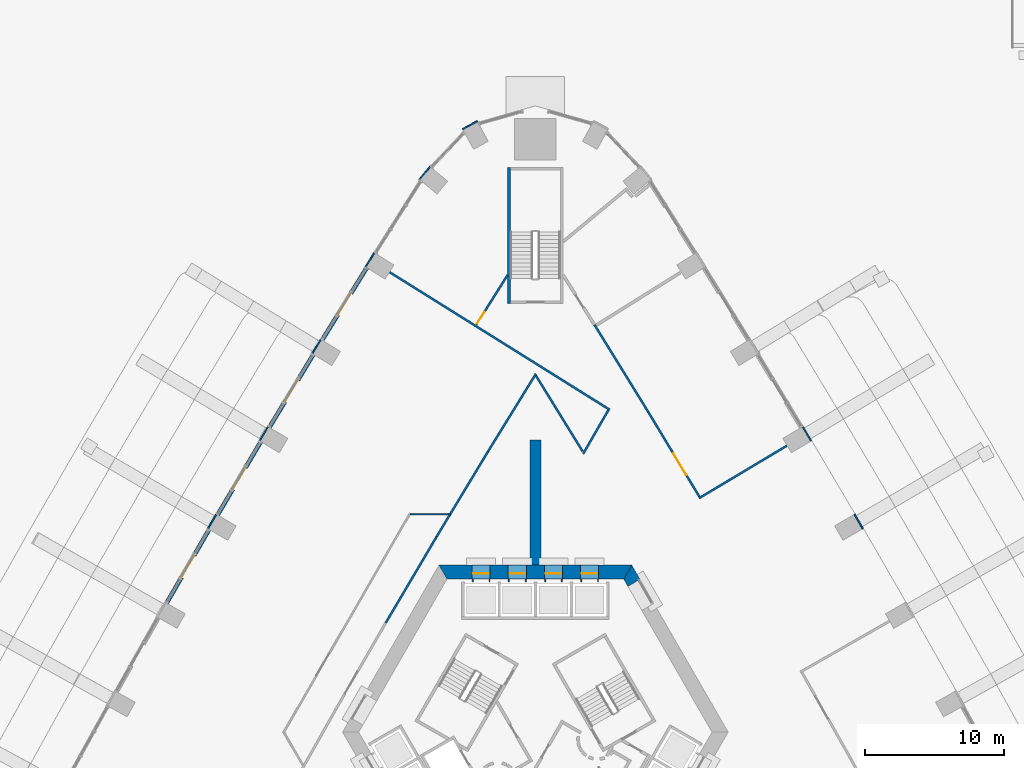
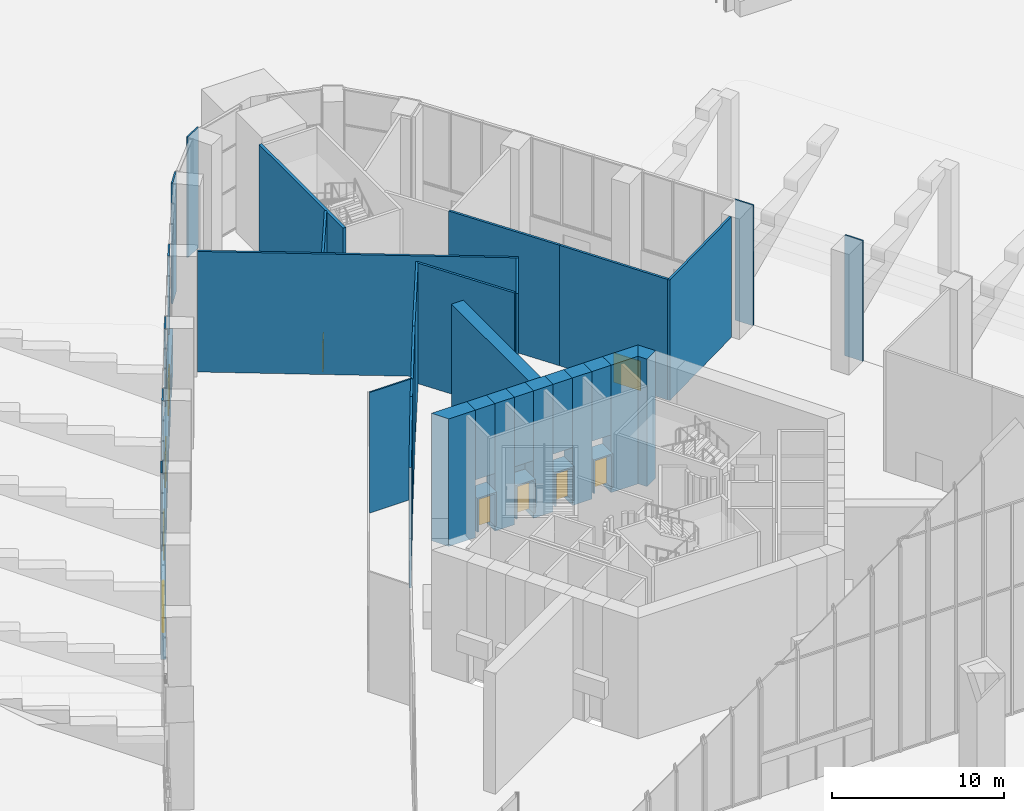
# One storey, part 19 of 36: 40 walls, 10 doors, 10 openings.
"""IFC4 building model written with IfcOpenShell, lengths in metres."""

from ifc_helpers import new_model, si_unit, direction, frame, frame_2d, origin, place, context, subcontext, project, spatial, polyline, rectangle, outline, extrude, material, layer, layer_set, type_object, element, fill, save


model = new_model("IFC4")

# Units and contexts
model_context = context("Model", 3, precision=1e-05, world=origin(), true_north=direction((0.0, 1.0)))
body_context = subcontext(model_context, "Body", "Model", "MODEL_VIEW")
ifc_project = project(units=[si_unit("LENGTHUNIT", "METRE"), si_unit("AREAUNIT", "SQUARE_METRE"), si_unit("VOLUMEUNIT", "CUBIC_METRE"), si_unit("PLANEANGLEUNIT", "RADIAN"), si_unit("MASSUNIT", "GRAM", prefix="KILO")], contexts=[model_context])

# Site, building, storey
site_placement = place(None, origin())
site = spatial("IfcSite", under=ifc_project, at=site_placement, CompositionType="ELEMENT")
building_placement = place(site_placement, origin())
building = spatial("IfcBuilding", under=site, at=building_placement, Name="Entoto Arch Interchange Tower", CompositionType="ELEMENT")
storey_placement = place(building_placement, origin())
storey = spatial("IfcBuildingStorey", under=building, at=storey_placement, Name="L00", CompositionType="ELEMENT", Elevation=0.0)

# Walls
ifc_material_1 = material(Name="Concrete C60/75", Category="concrete")
ifc_layer_1 = layer(ifc_material_1, 0.800048828125)
ifc_layer_set_1 = layer_set([ifc_layer_1], Name="Concrete C60/75")
wall_type_1 = type_object("IfcWallType", Name="Buttress wall 800 C60/75", PredefinedType="SHEAR", material=ifc_layer_set_1)
wall_1_placement = place(storey_placement, frame((0.0, 14.5, -0.5), z_axis=(0.0, 0.0, 1.0), x_axis=(0.0, 1.0, 0.0)))
element("IfcWall", 1, at=wall_1_placement, inside=storey, type_object=wall_type_1, Name="Buttress wall N L00", PredefinedType="SHEAR", context=body_context, shape_type="SweptSolid", body=[
    extrude(rectangle(XDim=9.0, YDim=0.800048828125, at=frame_2d((4.5, 0.0))), origin(), (0.0, 0.0, 1.0), 9.050048828125),
])
ifc_layer_2 = layer(ifc_material_1, 1.0)
ifc_layer_set_2 = layer_set([ifc_layer_2], Name="Concrete C60/75")
wall_type_2 = type_object("IfcWallType", Name="Core wall 1000 C60/75", PredefinedType="SHEAR", material=ifc_layer_set_2)
wall_2_placement = place(storey_placement, frame((0.0, 0.0, -0.5)))
element("IfcWall", 2, at=wall_2_placement, inside=storey, type_object=wall_type_2, Name="Core wall NE L00", PredefinedType="SHEAR", context=body_context, shape_type="SweptSolid", body=[
    extrude(outline(polyline([(6.65087890625, 12.97998046875), (7.51708984375, 13.47998046875), (6.927978515625, 14.5), (6.35107421875, 13.5), (6.65087890625, 12.97998046875)])), origin(), (0.0, 0.0, 1.0), 9.050048828125),
])
wall_3_placement = place(storey_placement, frame((0.0, 0.0, -0.5)))
element("IfcWall", 3, at=wall_3_placement, inside=storey, type_object=wall_type_2, Name="Core wall N L00", PredefinedType="SHEAR", context=body_context, shape_type="SweptSolid", body=[
    extrude(outline(polyline([(4.550048828125, 14.5), (4.550048828125, 13.5), (6.35107421875, 13.5), (6.927978515625, 14.5), (4.550048828125, 14.5)])), origin(), (0.0, 0.0, 1.0), 9.050048828125),
])
wall_4_placement = place(storey_placement, frame((0.0, 0.0, -0.5)))
element("IfcWall", 4, at=wall_4_placement, inside=storey, type_object=wall_type_2, Name="Core wall N L00", PredefinedType="SHEAR", context=body_context, shape_type="SweptSolid", body=[
    extrude(outline(polyline([(1.949951171875, 14.5), (1.949951171875, 13.5), (3.25, 13.5), (3.25, 14.5), (1.949951171875, 14.5)])), origin(), (0.0, 0.0, 1.0), 9.050048828125),
])
wall_5_placement = place(storey_placement, frame((0.0, 0.0, -0.5)))
element("IfcWall", 5, at=wall_5_placement, inside=storey, type_object=wall_type_2, Name="Core wall N L00", PredefinedType="SHEAR", context=body_context, shape_type="SweptSolid", body=[
    extrude(outline(polyline([(-0.64990234375, 14.5), (-0.64990234375, 13.5), (0.64990234375, 13.5), (0.64990234375, 14.5), (-0.64990234375, 14.5)])), origin(), (0.0, 0.0, 1.0), 9.050048828125),
])
wall_6_placement = place(storey_placement, frame((0.0, 0.0, -0.5)))
element("IfcWall", 6, at=wall_6_placement, inside=storey, type_object=wall_type_2, Name="Core wall N L00", PredefinedType="SHEAR", context=body_context, shape_type="SweptSolid", body=[
    extrude(outline(polyline([(-3.25, 14.5), (-3.25, 13.5), (-1.949951171875, 13.5), (-1.949951171875, 14.5), (-3.25, 14.5)])), origin(), (0.0, 0.0, 1.0), 9.050048828125),
])
wall_7_placement = place(storey_placement, frame((0.0, 0.0, -0.5)))
element("IfcWall", 7, at=wall_7_placement, inside=storey, type_object=wall_type_2, Name="Core wall N L00", PredefinedType="SHEAR", context=body_context, shape_type="SweptSolid", body=[
    extrude(outline(polyline([(-4.550048828125, 13.5), (-4.550048828125, 14.5), (-6.927978515625, 14.5), (-6.35107421875, 13.5), (-4.550048828125, 13.5)])), origin(), (0.0, 0.0, 1.0), 9.050048828125),
])
wall_8_placement = place(storey_placement, frame((0.0, 0.0, 3.60009765625)))
element("IfcWall", 8, at=wall_8_placement, inside=storey, type_object=wall_type_2, Name="Core wall lintel N L00", PredefinedType="SHEAR", context=body_context, shape_type="SweptSolid", body=[
    extrude(outline(polyline([(3.25, 14.5), (3.25, 13.5), (4.550048828125, 13.5), (4.550048828125, 14.5), (3.25, 14.5)])), origin(), (0.0, 0.0, 1.0), 4.949951171875),
])
wall_9_placement = place(storey_placement, frame((0.0, 0.0, 3.60009765625)))
element("IfcWall", 9, at=wall_9_placement, inside=storey, type_object=wall_type_2, Name="Core wall lintel N L00", PredefinedType="SHEAR", context=body_context, shape_type="SweptSolid", body=[
    extrude(outline(polyline([(0.64990234375, 14.5), (0.64990234375, 13.5), (1.949951171875, 13.5), (1.949951171875, 14.5), (0.64990234375, 14.5)])), origin(), (0.0, 0.0, 1.0), 4.949951171875),
])
wall_10_placement = place(storey_placement, frame((0.0, 0.0, 3.60009765625)))
element("IfcWall", 10, at=wall_10_placement, inside=storey, type_object=wall_type_2, Name="Core wall lintel N L00", PredefinedType="SHEAR", context=body_context, shape_type="SweptSolid", body=[
    extrude(outline(polyline([(-1.949951171875, 14.5), (-1.949951171875, 13.5), (-0.64990234375, 13.5), (-0.64990234375, 14.5), (-1.949951171875, 14.5)])), origin(), (0.0, 0.0, 1.0), 4.949951171875),
])
wall_11_placement = place(storey_placement, frame((0.0, 0.0, 3.60009765625)))
element("IfcWall", 11, at=wall_11_placement, inside=storey, type_object=wall_type_2, Name="Core wall lintel N L00", PredefinedType="SHEAR", context=body_context, shape_type="SweptSolid", body=[
    extrude(outline(polyline([(-4.550048828125, 14.5), (-4.550048828125, 13.5), (-3.25, 13.5), (-3.25, 14.5), (-4.550048828125, 14.5)])), origin(), (0.0, 0.0, 1.0), 4.949951171875),
])

# Wall, opening, door
ifc_material_2 = material(Name="Concrete C40/50", Category="concrete")
ifc_layer_3 = layer(ifc_material_2, 1.199951171875)
ifc_layer_set_3 = layer_set([ifc_layer_3], Name="Concrete C40/50")
wall_type_3 = type_object("IfcWallType", Name="LIFT LANDING INFILL WALL", PredefinedType="STANDARD", material=ifc_layer_set_3)
wall_12_placement = place(storey_placement, frame((4.550048828125, 13.89990234375, 0.0), z_axis=(0.0, 0.0, 1.0), x_axis=(-1.0, 0.0, 0.0)))
wall_12 = element("IfcWall", 12, at=wall_12_placement, inside=storey, type_object=wall_type_3, Name="Lift landing infill wall LR1 L00", PredefinedType="STANDARD", context=body_context, shape_type="SweptSolid", body=[
    extrude(rectangle(XDim=1.300048828125, YDim=1.199951171875, at=frame_2d((0.64990234375, 0.0))), origin(), (0.0, 0.0, 1.0), 2.39990234375),
])
opening_1_placement = place(wall_12_placement, frame((0.10009765625, 0.0, 0.0)))
opening_1 = element("IfcOpeningElement", 13, at=opening_1_placement, cuts=wall_12, Name="Opening LD-LR1-L00", PredefinedType="OPENING", context=body_context, shape_type="SweptSolid", body=[
    extrude(rectangle(XDim=1.10009765625, YDim=2.300048828125, at=frame_2d((0.550048828125, 1.14990234375))), frame((0.0, 0.60986328125, 0.0), z_axis=(0.0, -1.0, 0.0), x_axis=(1.0, 0.0, 0.0)), (0.0, 0.0, 1.0), 1.219970703125),
])
ifc_material_3 = material(Name="Stainless steel 1.4301 panels", Category="steel")
door_type_1 = type_object("IfcDoorType", Name="LIFT LANDING DOOR LD2 1100x2300", OperationType="SLIDING_TO_LEFT", PredefinedType="DOOR", material=ifc_material_3)
door_1_placement = place(opening_1_placement, origin())
door_1 = element("IfcDoor", 14, at=door_1_placement, inside=storey, type_object=door_type_1, Name="Lift landing door LR1 L00", OperationType="SLIDING_TO_LEFT", OverallHeight=2.300048828125, OverallWidth=1.10009765625, PredefinedType="DOOR", context=body_context, shape_type="SweptSolid", body=[
    extrude(rectangle(XDim=1.10009765625, YDim=2.300048828125, at=frame_2d((0.550048828125, 1.14990234375))), frame((0.0, 0.02490234375, 0.0), z_axis=(0.0, -1.0, 0.0), x_axis=(1.0, 0.0, 0.0)), (0.0, 0.0, 1.0), 0.050048828125),
])
fill(opening_1, door_1)

wall_13_placement = place(storey_placement, frame((1.949951171875, 13.89990234375, 0.0), z_axis=(0.0, 0.0, 1.0), x_axis=(-1.0, 0.0, 0.0)))
wall_13 = element("IfcWall", 15, at=wall_13_placement, inside=storey, type_object=wall_type_3, Name="Lift landing infill wall LR2 L00", PredefinedType="STANDARD", context=body_context, shape_type="SweptSolid", body=[
    extrude(rectangle(XDim=1.300048828125, YDim=1.199951171875, at=frame_2d((0.64990234375, 0.0))), origin(), (0.0, 0.0, 1.0), 2.39990234375),
])
opening_2_placement = place(wall_13_placement, frame((0.10009765625, 0.0, 0.0)))
opening_2 = element("IfcOpeningElement", 16, at=opening_2_placement, cuts=wall_13, Name="Opening LD-LR2-L00", PredefinedType="OPENING", context=body_context, shape_type="SweptSolid", body=[
    extrude(rectangle(XDim=1.10009765625, YDim=2.300048828125, at=frame_2d((0.550048828125, 1.14990234375))), frame((0.0, 0.60986328125, 0.0), z_axis=(0.0, -1.0, 0.0), x_axis=(1.0, 0.0, 0.0)), (0.0, 0.0, 1.0), 1.219970703125),
])
door_2_placement = place(opening_2_placement, origin())
door_2 = element("IfcDoor", 17, at=door_2_placement, inside=storey, type_object=door_type_1, Name="Lift landing door LR2 L00", OperationType="SLIDING_TO_LEFT", OverallHeight=2.300048828125, OverallWidth=1.10009765625, PredefinedType="DOOR", context=body_context, shape_type="SweptSolid", body=[
    extrude(rectangle(XDim=1.10009765625, YDim=2.300048828125, at=frame_2d((0.550048828125, 1.14990234375))), frame((0.0, 0.02490234375, 0.0), z_axis=(0.0, -1.0, 0.0), x_axis=(1.0, 0.0, 0.0)), (0.0, 0.0, 1.0), 0.050048828125),
])
fill(opening_2, door_2)

wall_14_placement = place(storey_placement, frame((-0.64990234375, 13.89990234375, 0.0), z_axis=(0.0, 0.0, 1.0), x_axis=(-1.0, 0.0, 0.0)))
wall_14 = element("IfcWall", 18, at=wall_14_placement, inside=storey, type_object=wall_type_3, Name="Lift landing infill wall LR3 L00", PredefinedType="STANDARD", context=body_context, shape_type="SweptSolid", body=[
    extrude(rectangle(XDim=1.300048828125, YDim=1.199951171875, at=frame_2d((0.64990234375, 0.0))), origin(), (0.0, 0.0, 1.0), 2.39990234375),
])
opening_3_placement = place(wall_14_placement, frame((0.10009765625, 0.0, 0.0)))
opening_3 = element("IfcOpeningElement", 19, at=opening_3_placement, cuts=wall_14, Name="Opening LD-LR3-L00", PredefinedType="OPENING", context=body_context, shape_type="SweptSolid", body=[
    extrude(rectangle(XDim=1.10009765625, YDim=2.300048828125, at=frame_2d((0.550048828125, 1.14990234375))), frame((0.0, 0.60986328125, 0.0), z_axis=(0.0, -1.0, 0.0), x_axis=(1.0, 0.0, 0.0)), (0.0, 0.0, 1.0), 1.219970703125),
])
door_3_placement = place(opening_3_placement, origin())
door_3 = element("IfcDoor", 20, at=door_3_placement, inside=storey, type_object=door_type_1, Name="Lift landing door LR3 L00", OperationType="SLIDING_TO_LEFT", OverallHeight=2.300048828125, OverallWidth=1.10009765625, PredefinedType="DOOR", context=body_context, shape_type="SweptSolid", body=[
    extrude(rectangle(XDim=1.10009765625, YDim=2.300048828125, at=frame_2d((0.550048828125, 1.14990234375))), frame((0.0, 0.02490234375, 0.0), z_axis=(0.0, -1.0, 0.0), x_axis=(1.0, 0.0, 0.0)), (0.0, 0.0, 1.0), 0.050048828125),
])
fill(opening_3, door_3)

wall_15_placement = place(storey_placement, frame((-3.25, 13.89990234375, 0.0), z_axis=(0.0, 0.0, 1.0), x_axis=(-1.0, 0.0, 0.0)))
wall_15 = element("IfcWall", 21, at=wall_15_placement, inside=storey, type_object=wall_type_3, Name="Lift landing infill wall LR4 L00", PredefinedType="STANDARD", context=body_context, shape_type="SweptSolid", body=[
    extrude(rectangle(XDim=1.300048828125, YDim=1.199951171875, at=frame_2d((0.64990234375, 0.0))), origin(), (0.0, 0.0, 1.0), 2.39990234375),
])
opening_4_placement = place(wall_15_placement, frame((0.10009765625, 0.0, 0.0)))
opening_4 = element("IfcOpeningElement", 22, at=opening_4_placement, cuts=wall_15, Name="Opening LD-LR4-L00", PredefinedType="OPENING", context=body_context, shape_type="SweptSolid", body=[
    extrude(rectangle(XDim=1.10009765625, YDim=2.300048828125, at=frame_2d((0.550048828125, 1.14990234375))), frame((0.0, 0.60986328125, 0.0), z_axis=(0.0, -1.0, 0.0), x_axis=(1.0, 0.0, 0.0)), (0.0, 0.0, 1.0), 1.219970703125),
])
door_4_placement = place(opening_4_placement, origin())
door_4 = element("IfcDoor", 23, at=door_4_placement, inside=storey, type_object=door_type_1, Name="Lift landing door LR4 L00", OperationType="SLIDING_TO_LEFT", OverallHeight=2.300048828125, OverallWidth=1.10009765625, PredefinedType="DOOR", context=body_context, shape_type="SweptSolid", body=[
    extrude(rectangle(XDim=1.10009765625, YDim=2.300048828125, at=frame_2d((0.550048828125, 1.14990234375))), frame((0.0, 0.02490234375, 0.0), z_axis=(0.0, -1.0, 0.0), x_axis=(1.0, 0.0, 0.0)), (0.0, 0.0, 1.0), 0.050048828125),
])
fill(opening_4, door_4)

# Walls
ifc_material_4 = material(Name="Gypsum board partition on steel studs", Category="steel")
ifc_layer_4 = layer(ifc_material_4, 0.10009765625)
ifc_layer_set_4 = layer_set([ifc_layer_4], Name="Gypsum board partition on steel studs")
wall_type_4 = type_object("IfcWallType", Name="PARTITION 100", PredefinedType="PARTITIONING", material=ifc_layer_set_4)
wall_16_placement = place(storey_placement, frame((-8.990966796875, 18.159912109375, 0.0), z_axis=(0.0, 0.0, 1.0), x_axis=(1.0, 0.0, 0.0)))
element("IfcWall", 24, at=wall_16_placement, inside=storey, type_object=wall_type_4, Name="wall:L00:p030", PredefinedType="PARTITIONING", context=body_context, shape_type="SweptSolid", body=[
    extrude(rectangle(XDim=2.864990234375, YDim=0.10009765625, at=frame_2d((1.4326171875, 0.0))), origin(), (0.0, 0.0, 1.0), 8.550048828125),
])
ifc_layer_5 = layer(ifc_material_4, 0.14990234375)
ifc_layer_set_5 = layer_set([ifc_layer_5], Name="Gypsum board partition on steel studs")
wall_type_5 = type_object("IfcWallType", Name="PARTITION 150", PredefinedType="PARTITIONING", material=ifc_layer_set_5)
wall_17_placement = place(storey_placement, frame((-6.1650390625, 18.095947265625, 0.0), z_axis=(0.0, 0.0, 1.0), x_axis=(-0.516449409386, -0.856317702459, 0.0)))
element("IfcWall", 25, at=wall_17_placement, inside=storey, type_object=wall_type_5, Name="wall:L00:p032", PredefinedType="PARTITIONING", context=body_context, shape_type="SweptSolid", body=[
    extrude(rectangle(XDim=1.818115234375, YDim=0.14990234375, at=frame_2d((0.9091796875, 0.0))), origin(), (0.0, 0.0, 1.0), 8.550048828125),
])
wall_18_placement = place(storey_placement, frame((-7.10400390625, 16.5390625, 0.0), z_axis=(0.0, 0.0, 1.0), x_axis=(-0.508323844405, -0.861165993992, 0.0)))
element("IfcWall", 26, at=wall_18_placement, inside=storey, type_object=wall_type_5, Name="wall:L00:p033", PredefinedType="PARTITIONING", context=body_context, shape_type="SweptSolid", body=[
    extrude(rectangle(XDim=7.18212890625, YDim=0.14990234375, at=frame_2d((3.591064453125, 0.0))), origin(), (0.0, 0.0, 1.0), 8.550048828125),
])
wall_19_placement = place(storey_placement, frame((-10.470947265625, 35.55908203125, 0.0), z_axis=(0.0, 0.0, 1.0), x_axis=(0.847926242488, -0.530114220994, 0.0)))
element("IfcWall", 27, at=wall_19_placement, inside=storey, type_object=wall_type_5, Name="wall:L00:p037", PredefinedType="PARTITIONING", context=body_context, shape_type="SweptSolid", body=[
    extrude(rectangle(XDim=18.65478515625, YDim=0.14990234375, at=frame_2d((9.327392578125, 0.0))), origin(), (0.0, 0.0, 1.0), 8.550048828125),
])
wall_20_placement = place(storey_placement, frame((5.24609375, 25.64501953125, 0.0), z_axis=(0.0, 0.0, 1.0), x_axis=(-0.499761246595, -0.866163204253, 0.0)))
element("IfcWall", 28, at=wall_20_placement, inside=storey, type_object=wall_type_5, Name="wall:L00:p038", PredefinedType="PARTITIONING", context=body_context, shape_type="SweptSolid", body=[
    extrude(rectangle(XDim=3.632080078125, YDim=0.14990234375, at=frame_2d((1.81591796875, 0.0))), origin(), (0.0, 0.0, 1.0), 8.550048828125),
])
wall_21_placement = place(storey_placement, frame((3.39404296875, 22.68701171875, 0.0), z_axis=(0.0, 0.0, 1.0), x_axis=(-0.524928369559, 0.851146407401, 0.0)))
element("IfcWall", 29, at=wall_21_placement, inside=storey, type_object=wall_type_5, Name="wall:L00:p039", PredefinedType="PARTITIONING", context=body_context, shape_type="SweptSolid", body=[
    extrude(rectangle(XDim=6.391357421875, YDim=0.14990234375, at=frame_2d((3.19580078125, 0.0))), origin(), (0.0, 0.0, 1.0), 8.550048828125),
])
wall_22_placement = place(storey_placement, frame((0.0390625, 28.2548828125, 0.0), z_axis=(0.0, 0.0, 1.0), x_axis=(-0.524842733288, -0.851199215998, 0.0)))
element("IfcWall", 30, at=wall_22_placement, inside=storey, type_object=wall_type_5, Name="wall:L00:p040", PredefinedType="PARTITIONING", context=body_context, shape_type="SweptSolid", body=[
    extrude(rectangle(XDim=6.541259765625, YDim=0.14990234375, at=frame_2d((3.2705078125, 0.0))), origin(), (0.0, 0.0, 1.0), 8.550048828125),
])
wall_23_placement = place(storey_placement, frame((-3.39404296875, 22.68701171875, 0.0), z_axis=(0.0, 0.0, 1.0), x_axis=(-0.516736893328, -0.856144253659, 0.0)))
element("IfcWall", 31, at=wall_23_placement, inside=storey, type_object=wall_type_5, Name="wall:L00:p041", PredefinedType="PARTITIONING", context=body_context, shape_type="SweptSolid", body=[
    extrude(rectangle(XDim=5.362548828125, YDim=0.14990234375, at=frame_2d((2.68115234375, 0.0))), origin(), (0.0, 0.0, 1.0), 8.550048828125),
])
wall_24_placement = place(storey_placement, frame((18.077880859375, 23.087890625, 0.0), z_axis=(0.0, 0.0, 1.0), x_axis=(-0.858382075275, -0.513010928583, 0.0)))
element("IfcWall", 32, at=wall_24_placement, inside=storey, type_object=wall_type_5, Name="wall:L00:p063", PredefinedType="PARTITIONING", context=body_context, shape_type="SweptSolid", body=[
    extrude(rectangle(XDim=7.3544921875, YDim=0.14990234375, at=frame_2d((3.67724609375, 0.0))), origin(), (0.0, 0.0, 1.0), 8.550048828125),
])

# Wall, opening, door
wall_25_placement = place(storey_placement, frame((11.7880859375, 19.4208984375, 0.0), z_axis=(0.0, 0.0, 1.0), x_axis=(-0.516540400452, 0.856262818707, 0.0)))
wall_25 = element("IfcWall", 33, at=wall_25_placement, inside=storey, type_object=wall_type_5, Name="wall:L00:p064", PredefinedType="PARTITIONING", context=body_context, shape_type="SweptSolid", body=[
    extrude(rectangle(XDim=7.1591796875, YDim=0.14990234375, at=frame_2d((3.57958984375, 0.0))), origin(), (0.0, 0.0, 1.0), 8.550048828125),
])
opening_5_placement = place(wall_25_placement, frame((1.821044921875, 0.0, 0.0)))
opening_5 = element("IfcOpeningElement", 34, at=opening_5_placement, cuts=wall_25, Name="Opening L00-D06", PredefinedType="OPENING", context=body_context, shape_type="SweptSolid", body=[
    extrude(rectangle(XDim=1.800048828125, YDim=2.10009765625, at=frame_2d((0.89990234375, 1.050048828125))), frame((0.0, 0.0849609375, 0.0), z_axis=(0.0, -1.0, 0.0), x_axis=(1.0, 0.0, 0.0)), (0.0, 0.0, 1.0), 0.169921875),
])
ifc_material_5 = material(Name="Timber door leaf in Steel S235 frame", Category="steel")
door_type_2 = type_object("IfcDoorType", Name="DOOR DD-18 1800x2100", OperationType="DOUBLE_DOOR_SINGLE_SWING", PredefinedType="DOOR", material=ifc_material_5)
door_5_placement = place(opening_5_placement, origin())
door_5 = element("IfcDoor", 35, at=door_5_placement, inside=storey, type_object=door_type_2, Name="door:L00:06", OperationType="DOUBLE_DOOR_SINGLE_SWING", OverallHeight=2.10009765625, OverallWidth=1.800048828125, PredefinedType="DOOR", context=body_context, shape_type="SweptSolid", body=[
    extrude(rectangle(XDim=1.800048828125, YDim=2.10009765625, at=frame_2d((0.89990234375, 1.050048828125))), frame((0.0, 0.02490234375, 0.0), z_axis=(0.0, -1.0, 0.0), x_axis=(1.0, 0.0, 0.0)), (0.0, 0.0, 1.0), 0.050048828125),
])
fill(opening_5, door_5)

# Wall
wall_26_placement = place(storey_placement, frame((8.090087890625, 25.551025390625, 0.0), z_axis=(0.0, 0.0, 1.0), x_axis=(-0.524924933436, 0.851148526555, 0.0)))
element("IfcWall", 36, at=wall_26_placement, inside=storey, type_object=wall_type_5, Name="wall:L00:p065", PredefinedType="PARTITIONING", context=body_context, shape_type="SweptSolid", body=[
    extrude(rectangle(XDim=7.322998046875, YDim=0.14990234375, at=frame_2d((3.66162109375, 0.0))), origin(), (0.0, 0.0, 1.0), 8.550048828125),
])

# Wall, opening, door
wall_27_placement = place(storey_placement, frame((-2.0, 35.345947265625, 0.0), z_axis=(0.0, 0.0, 1.0), x_axis=(-0.533158009265, -0.846015683753, 0.0)))
wall_27 = element("IfcWall", 37, at=wall_27_placement, inside=storey, type_object=wall_type_5, Name="wall:L00:p070", PredefinedType="PARTITIONING", context=body_context, shape_type="SweptSolid", body=[
    extrude(rectangle(XDim=4.2255859375, YDim=0.14990234375, at=frame_2d((2.11279296875, 0.0))), origin(), (0.0, 0.0, 1.0), 8.550048828125),
])
opening_6_placement = place(wall_27_placement, frame((3.125, 0.0, 0.0)))
opening_6 = element("IfcOpeningElement", 38, at=opening_6_placement, cuts=wall_27, Name="Opening L00-D08", PredefinedType="OPENING", context=body_context, shape_type="SweptSolid", body=[
    extrude(rectangle(XDim=1.0, YDim=2.10009765625, at=frame_2d((0.5, 1.050048828125))), frame((0.0, 0.0849609375, 0.0), z_axis=(0.0, -1.0, 0.0), x_axis=(1.0, 0.0, 0.0)), (0.0, 0.0, 1.0), 0.169921875),
])
door_type_3 = type_object("IfcDoorType", Name="DOOR DS-10 1000x2100", OperationType="SINGLE_SWING_LEFT", PredefinedType="DOOR", material=ifc_material_5)
door_6_placement = place(opening_6_placement, origin())
door_6 = element("IfcDoor", 39, at=door_6_placement, inside=storey, type_object=door_type_3, Name="door:L00:08", OperationType="SINGLE_SWING_RIGHT", OverallHeight=2.10009765625, OverallWidth=1.0, PredefinedType="DOOR", context=body_context, shape_type="SweptSolid", body=[
    extrude(rectangle(XDim=1.0, YDim=2.10009765625, at=frame_2d((0.5, 1.050048828125))), frame((0.0, 0.02490234375, 0.0), z_axis=(0.0, -1.0, 0.0), x_axis=(1.0, 0.0, 0.0)), (0.0, 0.0, 1.0), 0.050048828125),
])
fill(opening_6, door_6)

# Wall
ifc_layer_6 = layer(ifc_material_2, 0.199951171875)
ifc_layer_set_6 = layer_set([ifc_layer_6], Name="Concrete C40/50")
wall_type_6 = type_object("IfcWallType", Name="STAIR ENCLOSURE WALL 200", PredefinedType="STANDARD", material=ifc_layer_set_6)
wall_28_placement = place(storey_placement, frame((-1.89990234375, 33.300048828125, 0.0), z_axis=(0.0, 0.0, 1.0), x_axis=(0.0, 1.0, 0.0)))
element("IfcWall", 40, at=wall_28_placement, inside=storey, type_object=wall_type_6, Name="Stair wall PST-N right", PredefinedType="STANDARD", context=body_context, shape_type="SweptSolid", body=[
    extrude(rectangle(XDim=9.800048828125, YDim=0.199951171875, at=frame_2d((4.89990234375, 0.0))), origin(), (0.0, 0.0, 1.0), 8.550048828125),
])

# Wall, opening, door
ifc_material_6 = material(Name="Welded tuff (ignimbrite) cladding, warm buff", Category="masonry")
ifc_layer_7 = layer(ifc_material_6, 0.300048828125)
ifc_layer_set_7 = layer_set([ifc_layer_7], Name="Welded tuff (ignimbrite) cladding, warm buff")
wall_type_7 = type_object("IfcWallType", Name="STONE INFILL WALL 300", PredefinedType="STANDARD", material=ifc_layer_set_7)
wall_29_placement = place(storey_placement, frame((-15.64599609375, 30.157958984375, 0.0), z_axis=(0.0, 0.0, 1.0), x_axis=(0.524850464149, 0.851194449161, 0.0)))
wall_29 = element("IfcWall", 41, at=wall_29_placement, inside=storey, type_object=wall_type_7, Name="Entrance wall NW-02 L00", PredefinedType="STANDARD", context=body_context, shape_type="SweptSolid", body=[
    extrude(rectangle(XDim=7.323974609375, YDim=0.300048828125, at=frame_2d((3.662109375, 0.0))), origin(), (0.0, 0.0, 1.0), 3.0),
])
opening_7_placement = place(wall_29_placement, frame((2.761962890625, 0.0, 0.0)))
opening_7 = element("IfcOpeningElement", 42, at=opening_7_placement, cuts=wall_29, Name="Opening DX-NW-02", PredefinedType="OPENING", context=body_context, shape_type="SweptSolid", body=[
    extrude(rectangle(XDim=1.800048828125, YDim=2.39990234375, at=frame_2d((0.89990234375, 1.199951171875))), frame((0.0, 0.16015625, 0.0), z_axis=(0.0, -1.0, 0.0), x_axis=(1.0, 0.0, 0.0)), (0.0, 0.0, 1.0), 0.320068359375),
])
ifc_material_7 = material(Name="Aluminium and clear glass, anodised", Category="aluminium")
door_type_4 = type_object("IfcDoorType", Name="EXIT DOOR DX 1800x2400", OperationType="DOUBLE_DOOR_SINGLE_SWING", PredefinedType="DOOR", material=ifc_material_7)
door_7_placement = place(opening_7_placement, origin())
door_7 = element("IfcDoor", 43, at=door_7_placement, inside=storey, type_object=door_type_4, Name="Exit door NW-02", OperationType="DOUBLE_DOOR_SINGLE_SWING", OverallHeight=2.39990234375, OverallWidth=1.800048828125, PredefinedType="DOOR", context=body_context, shape_type="SweptSolid", body=[
    extrude(rectangle(XDim=1.800048828125, YDim=2.39990234375, at=frame_2d((0.89990234375, 1.199951171875))), frame((0.0, 0.02490234375, 0.0), z_axis=(0.0, -1.0, 0.0), x_axis=(1.0, 0.0, 0.0)), (0.0, 0.0, 1.0), 0.050048828125),
])
fill(opening_7, door_7)

wall_30_placement = place(storey_placement, frame((-19.427001953125, 23.89208984375, 0.0), z_axis=(0.0, 0.0, 1.0), x_axis=(0.516671289426, 0.856183846311, 0.0)))
wall_30 = element("IfcWall", 44, at=wall_30_placement, inside=storey, type_object=wall_type_7, Name="Entrance wall NW-03 L00", PredefinedType="STANDARD", context=body_context, shape_type="SweptSolid", body=[
    extrude(rectangle(XDim=7.32177734375, YDim=0.300048828125, at=frame_2d((3.660888671875, 0.0))), origin(), (0.0, 0.0, 1.0), 3.0),
])
opening_8_placement = place(wall_30_placement, frame((2.760986328125, 0.0, 0.0)))
opening_8 = element("IfcOpeningElement", 45, at=opening_8_placement, cuts=wall_30, Name="Opening DX-NW-03", PredefinedType="OPENING", context=body_context, shape_type="SweptSolid", body=[
    extrude(rectangle(XDim=1.800048828125, YDim=2.39990234375, at=frame_2d((0.89990234375, 1.199951171875))), frame((0.0, 0.16015625, 0.0), z_axis=(0.0, -1.0, 0.0), x_axis=(1.0, 0.0, 0.0)), (0.0, 0.0, 1.0), 0.320068359375),
])
door_8_placement = place(opening_8_placement, origin())
door_8 = element("IfcDoor", 46, at=door_8_placement, inside=storey, type_object=door_type_4, Name="Exit door NW-03", OperationType="DOUBLE_DOOR_SINGLE_SWING", OverallHeight=2.39990234375, OverallWidth=1.800048828125, PredefinedType="DOOR", context=body_context, shape_type="SweptSolid", body=[
    extrude(rectangle(XDim=1.800048828125, YDim=2.39990234375, at=frame_2d((0.89990234375, 1.199951171875))), frame((0.0, 0.02490234375, 0.0), z_axis=(0.0, -1.0, 0.0), x_axis=(1.0, 0.0, 0.0)), (0.0, 0.0, 1.0), 0.050048828125),
])
fill(opening_8, door_8)

wall_31_placement = place(storey_placement, frame((-23.14794921875, 17.587890625, 0.0), z_axis=(0.0, 0.0, 1.0), x_axis=(0.508320458333, 0.861167992694, 0.0)))
wall_31 = element("IfcWall", 47, at=wall_31_placement, inside=storey, type_object=wall_type_7, Name="Entrance wall NW-04 L00", PredefinedType="STANDARD", context=body_context, shape_type="SweptSolid", body=[
    extrude(rectangle(XDim=7.323974609375, YDim=0.300048828125, at=frame_2d((3.662109375, 0.0))), origin(), (0.0, 0.0, 1.0), 3.0),
])
opening_9_placement = place(wall_31_placement, frame((2.761962890625, 0.0, 0.0)))
opening_9 = element("IfcOpeningElement", 48, at=opening_9_placement, cuts=wall_31, Name="Opening DX-NW-04", PredefinedType="OPENING", context=body_context, shape_type="SweptSolid", body=[
    extrude(rectangle(XDim=1.800048828125, YDim=2.39990234375, at=frame_2d((0.89990234375, 1.199951171875))), frame((0.0, 0.16015625, 0.0), z_axis=(0.0, -1.0, 0.0), x_axis=(1.0, 0.0, 0.0)), (0.0, 0.0, 1.0), 0.320068359375),
])
door_9_placement = place(opening_9_placement, origin())
door_9 = element("IfcDoor", 49, at=door_9_placement, inside=storey, type_object=door_type_4, Name="Exit door NW-04", OperationType="DOUBLE_DOOR_SINGLE_SWING", OverallHeight=2.39990234375, OverallWidth=1.800048828125, PredefinedType="DOOR", context=body_context, shape_type="SweptSolid", body=[
    extrude(rectangle(XDim=1.800048828125, YDim=2.39990234375, at=frame_2d((0.89990234375, 1.199951171875))), frame((0.0, 0.02490234375, 0.0), z_axis=(0.0, -1.0, 0.0), x_axis=(1.0, 0.0, 0.0)), (0.0, 0.0, 1.0), 0.050048828125),
])
fill(opening_9, door_9)

wall_32_placement = place(storey_placement, frame((-26.80810546875, 11.25, 0.0), z_axis=(0.0, 0.0, 1.0), x_axis=(0.500012039911, 0.866018452427, 0.0)))
wall_32 = element("IfcWall", 50, at=wall_32_placement, inside=storey, type_object=wall_type_7, Name="Entrance wall NW-05 L00", PredefinedType="STANDARD", context=body_context, shape_type="SweptSolid", body=[
    extrude(rectangle(XDim=7.322021484375, YDim=0.300048828125, at=frame_2d((3.6611328125, 0.0))), origin(), (0.0, 0.0, 1.0), 3.0),
])
opening_10_placement = place(wall_32_placement, frame((2.760986328125, 0.0, 0.0)))
opening_10 = element("IfcOpeningElement", 51, at=opening_10_placement, cuts=wall_32, Name="Opening DX-NW-05", PredefinedType="OPENING", context=body_context, shape_type="SweptSolid", body=[
    extrude(rectangle(XDim=1.800048828125, YDim=2.39990234375, at=frame_2d((0.89990234375, 1.199951171875))), frame((0.0, 0.16015625, 0.0), z_axis=(0.0, -1.0, 0.0), x_axis=(1.0, 0.0, 0.0)), (0.0, 0.0, 1.0), 0.320068359375),
])
door_10_placement = place(opening_10_placement, origin())
door_10 = element("IfcDoor", 52, at=door_10_placement, inside=storey, type_object=door_type_4, Name="Exit door NW-05", OperationType="DOUBLE_DOOR_SINGLE_SWING", OverallHeight=2.39990234375, OverallWidth=1.800048828125, PredefinedType="DOOR", context=body_context, shape_type="SweptSolid", body=[
    extrude(rectangle(XDim=1.800048828125, YDim=2.39990234375, at=frame_2d((0.89990234375, 1.199951171875))), frame((0.0, 0.02490234375, 0.0), z_axis=(0.0, -1.0, 0.0), x_axis=(1.0, 0.0, 0.0)), (0.0, 0.0, 1.0), 0.050048828125),
])
fill(opening_10, door_10)

# Walls
ifc_layer_8 = layer(ifc_material_6, 0.10009765625)
ifc_layer_set_8 = layer_set([ifc_layer_8], Name="Welded tuff (ignimbrite) cladding, warm buff")
wall_type_8 = type_object("IfcWallType", Name="STONE PIER CLADDING 100", PredefinedType="STANDARD", material=ifc_layer_set_8)
wall_33_placement = place(storey_placement, frame((-4.178955078125, 46.4130859375, 0.0), z_axis=(0.0, 0.0, 1.0), x_axis=(-0.877069725045, -0.480363089141, 0.0)))
element("IfcWall", 53, at=wall_33_placement, inside=storey, type_object=wall_type_8, Name="Stone pier N3 L00", PredefinedType="STANDARD", context=body_context, shape_type="SweptSolid", body=[
    extrude(rectangle(XDim=1.199462890625, YDim=0.10009765625, at=frame_2d((0.599609375, 0.0))), origin(), (0.0, 0.0, 1.0), 8.550048828125),
])
wall_34_placement = place(storey_placement, frame((23.535888671875, 17.1220703125, 0.0), z_axis=(0.0, 0.0, 1.0), x_axis=(-0.504313844903, 0.863520437418, 0.0)))
element("IfcWall", 54, at=wall_34_placement, inside=storey, type_object=wall_type_8, Name="Stone pier NE06 L00", PredefinedType="STANDARD", context=body_context, shape_type="SweptSolid", body=[
    extrude(rectangle(XDim=1.19970703125, YDim=0.10009765625, at=frame_2d((0.599853515625, 0.0))), origin(), (0.0, 0.0, 1.0), 8.550048828125),
])
wall_35_placement = place(storey_placement, frame((19.820068359375, 23.428955078125, 0.0), z_axis=(0.0, 0.0, 1.0), x_axis=(-0.513238760752, 0.858245870635, 0.0)))
element("IfcWall", 55, at=wall_35_placement, inside=storey, type_object=wall_type_8, Name="Stone pier NE07 L00", PredefinedType="STANDARD", context=body_context, shape_type="SweptSolid", body=[
    extrude(rectangle(XDim=1.2001953125, YDim=0.10009765625, at=frame_2d((0.60009765625, 0.0))), origin(), (0.0, 0.0, 1.0), 8.550048828125),
])
for number, where, z_axis, x_axis, name in (
    (56, (-7.571044921875, 43.14794921875, 0.0), (0.0, 0.0, 1.0), (-0.637738500874, -0.77025294839, 0.0), "Stone pier NW01 L00"),
    (57, (-11.570068359375, 36.951904296875, 0.0), (0.0, 0.0, 1.0), (-0.530273374944, -0.847826720401, 0.0), "Stone pier NW02 L00"),
):
    element("IfcWall", number, at=place(storey_placement, frame(where, z_axis=z_axis, x_axis=x_axis)), inside=storey, type_object=wall_type_8, Name=name, PredefinedType="STANDARD", context=body_context, shape_type="SweptSolid", body=[
        extrude(rectangle(XDim=1.199462890625, YDim=0.10009765625, at=frame_2d((0.599609375, 0.0))), origin(), (0.0, 0.0, 1.0), 8.550048828125),
    ])
wall_36_placement = place(storey_placement, frame((-15.4169921875, 30.72412109375, 0.0), z_axis=(0.0, 0.0, 1.0), x_axis=(-0.521507599072, -0.853246637327, 0.0)))
element("IfcWall", 58, at=wall_36_placement, inside=storey, type_object=wall_type_8, Name="Stone pier NW03 L00", PredefinedType="STANDARD", context=body_context, shape_type="SweptSolid", body=[
    extrude(rectangle(XDim=1.200439453125, YDim=0.10009765625, at=frame_2d((0.60009765625, 0.0))), origin(), (0.0, 0.0, 1.0), 8.550048828125),
])
wall_37_placement = place(storey_placement, frame((-19.2041015625, 24.458984375, 0.0), z_axis=(0.0, 0.0, 1.0), x_axis=(-0.513238760752, -0.858245870635, 0.0)))
element("IfcWall", 59, at=wall_37_placement, inside=storey, type_object=wall_type_8, Name="Stone pier NW04 L00", PredefinedType="STANDARD", context=body_context, shape_type="SweptSolid", body=[
    extrude(rectangle(XDim=1.2001953125, YDim=0.10009765625, at=frame_2d((0.60009765625, 0.0))), origin(), (0.0, 0.0, 1.0), 8.550048828125),
])
wall_38_placement = place(storey_placement, frame((-22.930908203125, 18.157958984375, 0.0), z_axis=(0.0, 0.0, 1.0), x_axis=(-0.504313844903, -0.863520437418, 0.0)))
element("IfcWall", 60, at=wall_38_placement, inside=storey, type_object=wall_type_8, Name="Stone pier NW05 L00", PredefinedType="STANDARD", context=body_context, shape_type="SweptSolid", body=[
    extrude(rectangle(XDim=1.19970703125, YDim=0.10009765625, at=frame_2d((0.599853515625, 0.0))), origin(), (0.0, 0.0, 1.0), 8.550048828125),
])

save(model, "model.ifc")
